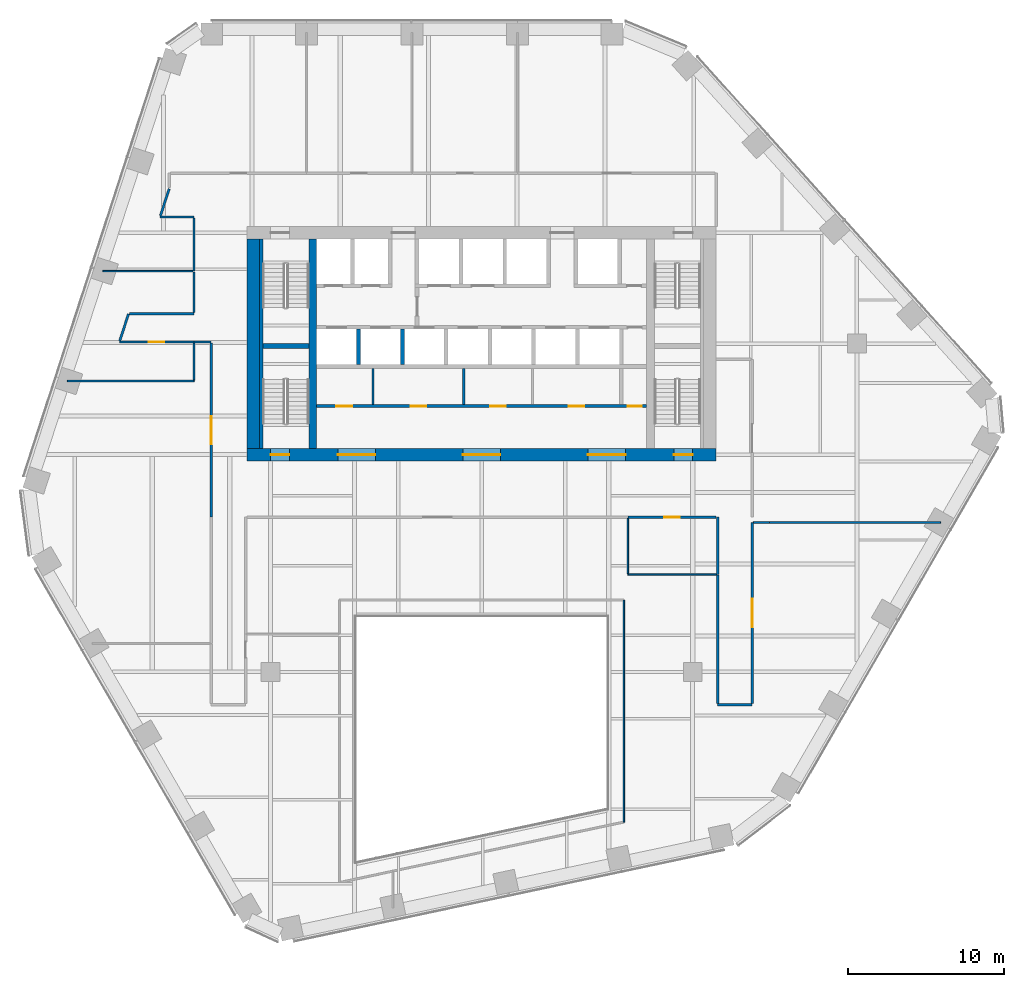
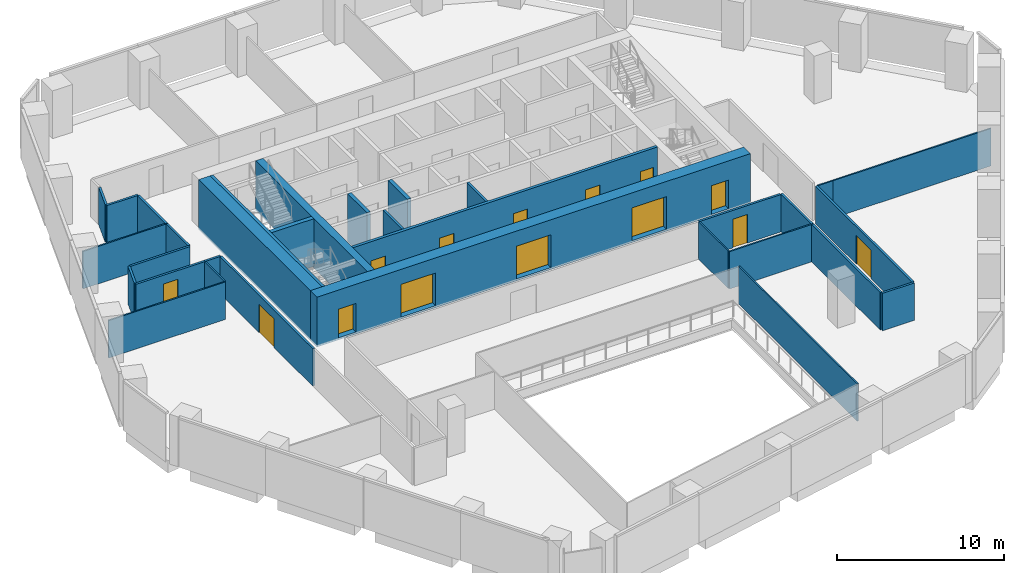
# One storey, part 11 of 16: 32 walls, 14 doors, 14 openings.
"""IFC4 building model written with IfcOpenShell, lengths in metres."""

from ifc_helpers import new_model, si_unit, direction, frame, frame_2d, origin, place, context, subcontext, project, spatial, rectangle, extrude, material, layer, layer_set, type_object, element, fill, save


model = new_model("IFC4")

# Units and contexts
model_context = context("Model", 3, precision=1e-05, world=origin(), true_north=direction((0.0, 1.0)))
body_context = subcontext(model_context, "Body", "Model", "MODEL_VIEW")
ifc_project = project(units=[si_unit("LENGTHUNIT", "METRE"), si_unit("AREAUNIT", "SQUARE_METRE"), si_unit("VOLUMEUNIT", "CUBIC_METRE"), si_unit("PLANEANGLEUNIT", "RADIAN"), si_unit("MASSUNIT", "GRAM", prefix="KILO")], contexts=[model_context])

# Site, building, storey
site_placement = place(None, origin())
site = spatial("IfcSite", under=ifc_project, at=site_placement, CompositionType="ELEMENT")
building_placement = place(site_placement, origin())
building = spatial("IfcBuilding", under=site, at=building_placement, Name="Isthmus Gate Tower", CompositionType="ELEMENT")
storey_placement = place(building_placement, frame((0.0, 0.0, 155.35009765625)))
storey = spatial("IfcBuildingStorey", under=building, at=storey_placement, Name="L38", CompositionType="ELEMENT", Elevation=155.35009765625)

# Wall
ifc_material_1 = material(Name="Fire-rated laminated glass in steel frame", Category="steel")
ifc_layer_1 = layer(ifc_material_1, 0.10009765625)
ifc_layer_set_1 = layer_set([ifc_layer_1], Name="ATRIUM SCREEN GLAZED WALL 100 120 MIN")
wall_type_1 = type_object("IfcWallType", Name="ATRIUM SCREEN GLAZED WALL 100 120 MIN", PredefinedType="PARTITIONING", material=ifc_layer_set_1)
wall_1_placement = place(storey_placement, frame((9.10009765625, -8.89990234375, 0.0), z_axis=(0.0, 0.0, 1.0), x_axis=(0.0, -1.0, 0.0)))
element("IfcWall", 1, at=wall_1_placement, inside=storey, type_object=wall_type_1, Name="L38 atrium screen", PredefinedType="PARTITIONING", context=body_context, shape_type="SweptSolid", body=[
    extrude(rectangle(XDim=14.200927734375, YDim=0.10009765625, at=frame_2d((7.1005859375, 0.0))), origin(), (0.0, 0.0, 1.0), 2.7412109375),
])

# Wall, opening, door
ifc_material_2 = material(Name="Gypsum board on steel studs, fire-rated", Category="steel")
ifc_layer_2 = layer(ifc_material_2, 0.14990234375)
ifc_layer_set_2 = layer_set([ifc_layer_2], Name="CORRIDOR WALL 150 60 MIN")
wall_type_2 = type_object("IfcWallType", Name="CORRIDOR WALL 150 60 MIN", PredefinedType="PARTITIONING", material=ifc_layer_set_2)
wall_2_placement = place(storey_placement, frame((15.0, -3.60009765625, 0.0), z_axis=(0.0, 0.0, 1.0), x_axis=(-1.0, 0.0, 0.0)))
wall_2 = element("IfcWall", 2, at=wall_2_placement, inside=storey, type_object=wall_type_2, Name="L38 Corridor Wall 150 60 Min", PredefinedType="PARTITIONING", context=body_context, shape_type="SweptSolid", body=[
    extrude(rectangle(XDim=5.64990234375, YDim=0.14990234375, at=frame_2d((2.824951171875, 0.0))), origin(), (0.0, 0.0, 1.0), 2.7412109375),
])
opening_1_placement = place(wall_2_placement, frame((2.324951171875, 0.0, 0.0)))
opening_1 = element("IfcOpeningElement", 3, at=opening_1_placement, cuts=wall_2, Name="Opening DT-T3C-08", PredefinedType="OPENING", context=body_context, shape_type="SweptSolid", body=[
    extrude(rectangle(XDim=1.0, YDim=2.10009765625, at=frame_2d((0.5, 1.050048828125))), frame((0.0, 0.0849609375, 0.0), z_axis=(0.0, -1.0, 0.0), x_axis=(1.0, 0.0, 0.0)), (0.0, 0.0, 1.0), 0.169921875),
])
ifc_material_3 = material(Name="Solid core timber door leaf, fire-rated", Category="wood")
door_type_1 = type_object("IfcDoorType", Name="FIRE DOOR ROOM 1000 X 2100 60 MIN", OperationType="SINGLE_SWING_LEFT", PredefinedType="DOOR", material=ifc_material_3)
door_1_placement = place(opening_1_placement, origin())
door_1 = element("IfcDoor", 4, at=door_1_placement, inside=storey, type_object=door_type_1, Name="L38 room door", OperationType="SINGLE_SWING_RIGHT", OverallHeight=2.10009765625, OverallWidth=1.0, PredefinedType="DOOR", context=body_context, shape_type="SweptSolid", body=[
    extrude(rectangle(XDim=1.0, YDim=2.10009765625, at=frame_2d((0.5, 1.050048828125))), frame((0.0, 0.02490234375, 0.0), z_axis=(0.0, -1.0, 0.0), x_axis=(1.0, 0.0, 0.0)), (0.0, 0.0, 1.0), 0.050048828125),
])
fill(opening_1, door_1)

# Wall
wall_3_placement = place(storey_placement, frame((-18.39990234375, 15.60009765625, 0.0), z_axis=(0.0, 0.0, 1.0), x_axis=(-1.0, 0.0, 0.0)))
element("IfcWall", 5, at=wall_3_placement, inside=storey, type_object=wall_type_2, Name="L38 Corridor Wall 150 60 Min", PredefinedType="PARTITIONING", context=body_context, shape_type="SweptSolid", body=[
    extrude(rectangle(XDim=2.174072265625, YDim=0.14990234375, at=frame_2d((1.0869140625, 0.0))), origin(), (0.0, 0.0, 1.0), 2.7412109375),
])

# Wall, opening, door
wall_4_placement = place(storey_placement, frame((-23.174072265625, 7.60009765625, 0.0), z_axis=(0.0, 0.0, 1.0), x_axis=(1.0, 0.0, 0.0)))
wall_4 = element("IfcWall", 6, at=wall_4_placement, inside=storey, type_object=wall_type_2, Name="L38 Corridor Wall 150 60 Min", PredefinedType="PARTITIONING", context=body_context, shape_type="SweptSolid", body=[
    extrude(rectangle(XDim=4.77197265625, YDim=0.14990234375, at=frame_2d((2.385986328125, 0.0))), origin(), (0.0, 0.0, 1.0), 2.7412109375),
])
opening_2_placement = place(wall_4_placement, frame((1.885986328125, 0.0, 0.0)))
opening_2 = element("IfcOpeningElement", 7, at=opening_2_placement, cuts=wall_4, Name="Opening DT-T3C-06", PredefinedType="OPENING", context=body_context, shape_type="SweptSolid", body=[
    extrude(rectangle(XDim=1.0, YDim=2.10009765625, at=frame_2d((0.5, 1.050048828125))), frame((0.0, 0.0849609375, 0.0), z_axis=(0.0, -1.0, 0.0), x_axis=(1.0, 0.0, 0.0)), (0.0, 0.0, 1.0), 0.169921875),
])
door_2_placement = place(opening_2_placement, origin())
door_2 = element("IfcDoor", 8, at=door_2_placement, inside=storey, type_object=door_type_1, Name="L38 room door", OperationType="SINGLE_SWING_RIGHT", OverallHeight=2.10009765625, OverallWidth=1.0, PredefinedType="DOOR", context=body_context, shape_type="SweptSolid", body=[
    extrude(rectangle(XDim=1.0, YDim=2.10009765625, at=frame_2d((0.5, 1.050048828125))), frame((0.0, 0.02490234375, 0.0), z_axis=(0.0, -1.0, 0.0), x_axis=(1.0, 0.0, 0.0)), (0.0, 0.0, 1.0), 0.050048828125),
])
fill(opening_2, door_2)

# Walls
wall_5_placement = place(storey_placement, frame((-17.298095703125, 7.60205078125, 0.0), z_axis=(0.0, 0.0, 1.0), x_axis=(-1.0, 0.0, 0.0)))
element("IfcWall", 9, at=wall_5_placement, inside=storey, type_object=wall_type_2, Name="L38 Corridor Wall 150 60 Min", PredefinedType="PARTITIONING", context=body_context, shape_type="SweptSolid", body=[
    extrude(rectangle(XDim=1.10400390625, YDim=0.14990234375, at=frame_2d((0.552001953125, 0.0))), origin(), (0.0, 0.0, 1.0), 2.7412109375),
])
wall_6_placement = place(storey_placement, frame((17.300048828125, -15.60009765625, 0.0), z_axis=(0.0, 0.0, 1.0), x_axis=(-1.0, 0.0, 0.0)))
element("IfcWall", 10, at=wall_6_placement, inside=storey, type_object=wall_type_2, Name="L38 Corridor Wall 150 60 Min", PredefinedType="PARTITIONING", context=body_context, shape_type="SweptSolid", body=[
    extrude(rectangle(XDim=2.199951171875, YDim=0.14990234375, at=frame_2d((1.10009765625, 0.0))), origin(), (0.0, 0.0, 1.0), 2.7412109375),
])

# Wall, opening, door
wall_7_placement = place(storey_placement, frame((17.300048828125, -3.93994140625, 0.0), z_axis=(0.0, 0.0, 1.0), x_axis=(0.0, -1.0, 0.0)))
wall_7 = element("IfcWall", 11, at=wall_7_placement, inside=storey, type_object=wall_type_2, Name="L38 Corridor Wall 150 60 Min", PredefinedType="PARTITIONING", context=body_context, shape_type="SweptSolid", body=[
    extrude(rectangle(XDim=11.5849609375, YDim=0.14990234375, at=frame_2d((5.79248046875, 0.0))), origin(), (0.0, 0.0, 1.0), 2.7412109375),
])
opening_3_placement = place(wall_7_placement, frame((4.892578125, 0.0, 0.0)))
opening_3 = element("IfcOpeningElement", 12, at=opening_3_placement, cuts=wall_7, Name="Opening DT-T3C-10", PredefinedType="OPENING", context=body_context, shape_type="SweptSolid", body=[
    extrude(rectangle(XDim=1.800048828125, YDim=2.10009765625, at=frame_2d((0.89990234375, 1.050048828125))), frame((0.0, 0.0849609375, 0.0), z_axis=(0.0, -1.0, 0.0), x_axis=(1.0, 0.0, 0.0)), (0.0, 0.0, 1.0), 0.169921875),
])
ifc_material_4 = material(Name="Solid core timber door leaf, fire-rated", Category="wood")
door_type_2 = type_object("IfcDoorType", Name="FIRE DOOR ROOM 1800 X 2100 60 MIN", OperationType="DOUBLE_DOOR_DOUBLE_SWING", PredefinedType="DOOR", material=ifc_material_4)
door_3_placement = place(opening_3_placement, origin())
door_3 = element("IfcDoor", 13, at=door_3_placement, inside=storey, type_object=door_type_2, Name="L38 room door", OperationType="DOUBLE_DOOR_DOUBLE_SWING", OverallHeight=2.10009765625, OverallWidth=1.800048828125, PredefinedType="DOOR", context=body_context, shape_type="SweptSolid", body=[
    extrude(rectangle(XDim=1.800048828125, YDim=2.10009765625, at=frame_2d((0.89990234375, 1.050048828125))), frame((0.0, 0.02490234375, 0.0), z_axis=(0.0, -1.0, 0.0), x_axis=(1.0, 0.0, 0.0)), (0.0, 0.0, 1.0), 0.050048828125),
])
fill(opening_3, door_3)

# Walls
wall_8_placement = place(storey_placement, frame((-20.55078125, 15.67138671875, 0.0), z_axis=(0.0, 0.0, 1.0), x_axis=(0.30859997516, 0.951191912987, 0.0)))
element("IfcWall", 14, at=wall_8_placement, inside=storey, type_object=wall_type_2, Name="L38 Corridor Wall 150 60 Min", PredefinedType="PARTITIONING", context=body_context, shape_type="SweptSolid", body=[
    extrude(rectangle(XDim=1.817138671875, YDim=0.14990234375, at=frame_2d((0.90869140625, 0.0))), origin(), (0.0, 0.0, 1.0), 2.7412109375),
])
wall_9_placement = place(storey_placement, frame((-18.39990234375, 12.14111328125, 0.0), z_axis=(0.0, 0.0, 1.0), x_axis=(0.0, 1.0, 0.0)))
element("IfcWall", 15, at=wall_9_placement, inside=storey, type_object=wall_type_2, Name="L38 Corridor Wall 150 60 Min", PredefinedType="PARTITIONING", context=body_context, shape_type="SweptSolid", body=[
    extrude(rectangle(XDim=3.3837890625, YDim=0.14990234375, at=frame_2d((1.69189453125, 0.0))), origin(), (0.0, 0.0, 1.0), 2.7412109375),
])
wall_10_placement = place(storey_placement, frame((-23.15087890625, 7.67138671875, 0.0), z_axis=(0.0, 0.0, 1.0), x_axis=(0.309086072338, 0.951034068731, 0.0)))
element("IfcWall", 16, at=wall_10_placement, inside=storey, type_object=wall_type_2, Name="L38 Corridor Wall 150 60 Min", PredefinedType="PARTITIONING", context=body_context, shape_type="SweptSolid", body=[
    extrude(rectangle(XDim=1.817626953125, YDim=0.14990234375, at=frame_2d((0.90869140625, 0.0))), origin(), (0.0, 0.0, 1.0), 2.7412109375),
])
wall_11_placement = place(storey_placement, frame((-22.513916015625, 9.39990234375, 0.0), z_axis=(0.0, 0.0, 1.0), x_axis=(1.0, 0.0, 0.0)))
element("IfcWall", 17, at=wall_11_placement, inside=storey, type_object=wall_type_2, Name="L38 Corridor Wall 150 60 Min", PredefinedType="PARTITIONING", context=body_context, shape_type="SweptSolid", body=[
    extrude(rectangle(XDim=4.114013671875, YDim=0.14990234375, at=frame_2d((2.05712890625, 0.0))), origin(), (0.0, 0.0, 1.0), 2.7412109375),
])
wall_12_placement = place(storey_placement, frame((-18.39990234375, 9.47509765625, 0.0), z_axis=(0.0, 0.0, 1.0), x_axis=(0.0, 1.0, 0.0)))
element("IfcWall", 18, at=wall_12_placement, inside=storey, type_object=wall_type_2, Name="L38 Corridor Wall 150 60 Min", PredefinedType="PARTITIONING", context=body_context, shape_type="SweptSolid", body=[
    extrude(rectangle(XDim=2.615966796875, YDim=0.14990234375, at=frame_2d((1.30810546875, 0.0))), origin(), (0.0, 0.0, 1.0), 2.7412109375),
])

# Wall, opening, door
wall_13_placement = place(storey_placement, frame((-17.298095703125, -3.60205078125, 0.0), z_axis=(0.0, 0.0, 1.0), x_axis=(0.0, 1.0, 0.0)))
wall_13 = element("IfcWall", 19, at=wall_13_placement, inside=storey, type_object=wall_type_2, Name="L38 Corridor Wall 150 60 Min", PredefinedType="PARTITIONING", context=body_context, shape_type="SweptSolid", body=[
    extrude(rectangle(XDim=11.129150390625, YDim=0.14990234375, at=frame_2d((5.564453125, 0.0))), origin(), (0.0, 0.0, 1.0), 2.7412109375),
])
opening_4_placement = place(wall_13_placement, frame((4.66455078125, 0.0, 0.0)))
opening_4 = element("IfcOpeningElement", 20, at=opening_4_placement, cuts=wall_13, Name="Opening DT-T3C-07", PredefinedType="OPENING", context=body_context, shape_type="SweptSolid", body=[
    extrude(rectangle(XDim=1.800048828125, YDim=2.10009765625, at=frame_2d((0.89990234375, 1.050048828125))), frame((0.0, 0.0849609375, 0.0), z_axis=(0.0, -1.0, 0.0), x_axis=(1.0, 0.0, 0.0)), (0.0, 0.0, 1.0), 0.169921875),
])
door_4_placement = place(opening_4_placement, origin())
door_4 = element("IfcDoor", 21, at=door_4_placement, inside=storey, type_object=door_type_2, Name="L38 room door", OperationType="DOUBLE_DOOR_DOUBLE_SWING", OverallHeight=2.10009765625, OverallWidth=1.800048828125, PredefinedType="DOOR", context=body_context, shape_type="SweptSolid", body=[
    extrude(rectangle(XDim=1.800048828125, YDim=2.10009765625, at=frame_2d((0.89990234375, 1.050048828125))), frame((0.0, 0.02490234375, 0.0), z_axis=(0.0, -1.0, 0.0), x_axis=(1.0, 0.0, 0.0)), (0.0, 0.0, 1.0), 0.050048828125),
])
fill(opening_4, door_4)

# Walls
wall_14_placement = place(storey_placement, frame((15.10009765625, -7.257080078125, 0.0), z_axis=(0.0, 0.0, 1.0), x_axis=(0.0, 1.0, 0.0)))
element("IfcWall", 22, at=wall_14_placement, inside=storey, type_object=wall_type_2, Name="L38 Corridor Wall 150 60 Min", PredefinedType="PARTITIONING", context=body_context, shape_type="SweptSolid", body=[
    extrude(rectangle(XDim=3.656982421875, YDim=0.14990234375, at=frame_2d((1.82861328125, 0.0))), origin(), (0.0, 0.0, 1.0), 2.7412109375),
])
wall_15_placement = place(storey_placement, frame((15.10009765625, -15.52490234375, 0.0), z_axis=(0.0, 0.0, 1.0), x_axis=(0.0, 1.0, 0.0)))
element("IfcWall", 23, at=wall_15_placement, inside=storey, type_object=wall_type_2, Name="L38 Corridor Wall 150 60 Min", PredefinedType="PARTITIONING", context=body_context, shape_type="SweptSolid", body=[
    extrude(rectangle(XDim=8.218017578125, YDim=0.14990234375, at=frame_2d((4.10888671875, 0.0))), origin(), (0.0, 0.0, 1.0), 2.7412109375),
])
ifc_material_5 = material(Name="Concrete f'c 60 MPa", Category="concrete")
ifc_layer_3 = layer(ifc_material_5, 0.5)
ifc_layer_set_3 = layer_set([ifc_layer_3], Name="RC CORE SPINE WALL 500 F'C 60")
wall_type_3 = type_object("IfcWallType", Name="RC CORE SPINE WALL 500 F'C 60", PredefinedType="SOLIDWALL", material=ifc_layer_set_3)
wall_16_placement = place(storey_placement, frame((-10.800048828125, 0.800048828125, -0.150146484375), z_axis=(0.0, 0.0, 1.0), x_axis=(0.0, 1.0, 0.0)))
element("IfcWall", 24, at=wall_16_placement, inside=storey, type_object=wall_type_3, Name="str-corewall-L38-SPW", PredefinedType="SOLIDWALL", context=body_context, shape_type="SweptSolid", body=[
    extrude(rectangle(XDim=13.39990234375, YDim=0.5, at=frame_2d((6.699951171875, 0.0))), origin(), (0.0, 0.0, 1.0), 3.650146484375),
])

# Wall, openings, doors
ifc_material_6 = material(Name="Concrete f'c 60 MPa", Category="concrete")
ifc_layer_4 = layer(ifc_material_6, 0.800048828125)
ifc_layer_set_4 = layer_set([ifc_layer_4], Name="RC CORE WALL 800 F'C 60")
wall_type_4 = type_object("IfcWallType", Name="RC CORE WALL 800 F'C 60", PredefinedType="SOLIDWALL", material=ifc_layer_set_4)
wall_17_placement = place(storey_placement, frame((-15.0, 0.39990234375, -0.150146484375), z_axis=(0.0, 0.0, 1.0), x_axis=(1.0, 0.0, 0.0)))
wall_17 = element("IfcWall", 25, at=wall_17_placement, inside=storey, type_object=wall_type_4, Name="str-corewall-L38-S", PredefinedType="SOLIDWALL", context=body_context, shape_type="SweptSolid", body=[
    extrude(rectangle(XDim=30.0, YDim=0.800048828125, at=frame_2d((15.0, 0.0))), origin(), (0.0, 0.0, 1.0), 3.650146484375),
])
opening_5_placement = place(wall_17_placement, frame((5.800048828125, 0.0, 0.14990234375)))
opening_5 = element("IfcOpeningElement", 26, at=opening_5_placement, cuts=wall_17, Name="Opening DC-A13-09", PredefinedType="OPENING", context=body_context, shape_type="SweptSolid", body=[
    extrude(rectangle(XDim=2.39990234375, YDim=2.39990234375, at=frame_2d((1.199951171875, 1.199951171875))), frame((0.0, 0.409912109375, 0.0), z_axis=(0.0, -1.0, 0.0), x_axis=(1.0, 0.0, 0.0)), (0.0, 0.0, 1.0), 0.820068359375),
])
opening_6_placement = place(wall_17_placement, frame((13.800048828125, 0.0, 0.14990234375)))
opening_6 = element("IfcOpeningElement", 27, at=opening_6_placement, cuts=wall_17, Name="Opening DC-A13-10", PredefinedType="OPENING", context=body_context, shape_type="SweptSolid", body=[
    extrude(rectangle(XDim=2.39990234375, YDim=2.39990234375, at=frame_2d((1.199951171875, 1.199951171875))), frame((0.0, 0.409912109375, 0.0), z_axis=(0.0, -1.0, 0.0), x_axis=(1.0, 0.0, 0.0)), (0.0, 0.0, 1.0), 0.820068359375),
])
opening_7_placement = place(wall_17_placement, frame((21.800048828125, 0.0, 0.14990234375)))
opening_7 = element("IfcOpeningElement", 28, at=opening_7_placement, cuts=wall_17, Name="Opening DC-A13-11", PredefinedType="OPENING", context=body_context, shape_type="SweptSolid", body=[
    extrude(rectangle(XDim=2.39990234375, YDim=2.39990234375, at=frame_2d((1.199951171875, 1.199951171875))), frame((0.0, 0.409912109375, 0.0), z_axis=(0.0, -1.0, 0.0), x_axis=(1.0, 0.0, 0.0)), (0.0, 0.0, 1.0), 0.820068359375),
])
opening_8_placement = place(wall_17_placement, frame((1.5, 0.0, 0.14990234375)))
opening_8 = element("IfcOpeningElement", 29, at=opening_8_placement, cuts=wall_17, Name="Opening DC-A13-16", PredefinedType="OPENING", context=body_context, shape_type="SweptSolid", body=[
    extrude(rectangle(XDim=1.199951171875, YDim=2.10009765625, at=frame_2d((0.60009765625, 1.050048828125))), frame((0.0, 0.409912109375, 0.0), z_axis=(0.0, -1.0, 0.0), x_axis=(1.0, 0.0, 0.0)), (0.0, 0.0, 1.0), 0.820068359375),
])
opening_9_placement = place(wall_17_placement, frame((27.300048828125, 0.0, 0.14990234375)))
opening_9 = element("IfcOpeningElement", 30, at=opening_9_placement, cuts=wall_17, Name="Opening DC-A13-17", PredefinedType="OPENING", context=body_context, shape_type="SweptSolid", body=[
    extrude(rectangle(XDim=1.199951171875, YDim=2.10009765625, at=frame_2d((0.60009765625, 1.050048828125))), frame((0.0, 0.409912109375, 0.0), z_axis=(0.0, -1.0, 0.0), x_axis=(1.0, 0.0, 0.0)), (0.0, 0.0, 1.0), 0.820068359375),
])
ifc_material_7 = material(Name="Laminated safety glass in steel frame, fire-rated", Category="steel")
door_type_3 = type_object("IfcDoorType", Name="LOBBY ENTRANCE FIRE DOOR 2400 X 2400 60 MIN", OperationType="DOUBLE_DOOR_DOUBLE_SWING", PredefinedType="DOOR", material=ifc_material_7)
door_5_placement = place(opening_5_placement, origin())
door_5 = element("IfcDoor", 31, at=door_5_placement, inside=storey, type_object=door_type_3, Name="Lobby Entrance PS-W", OperationType="DOUBLE_DOOR_DOUBLE_SWING", OverallHeight=2.39990234375, OverallWidth=2.39990234375, PredefinedType="DOOR", context=body_context, shape_type="SweptSolid", body=[
    extrude(rectangle(XDim=2.39990234375, YDim=2.39990234375, at=frame_2d((1.199951171875, 1.199951171875))), frame((0.0, 0.02490234375, 0.0), z_axis=(0.0, -1.0, 0.0), x_axis=(1.0, 0.0, 0.0)), (0.0, 0.0, 1.0), 0.050048828125),
])
fill(opening_5, door_5)
door_6_placement = place(opening_6_placement, origin())
door_6 = element("IfcDoor", 32, at=door_6_placement, inside=storey, type_object=door_type_3, Name="Lobby Entrance PS-C", OperationType="DOUBLE_DOOR_DOUBLE_SWING", OverallHeight=2.39990234375, OverallWidth=2.39990234375, PredefinedType="DOOR", context=body_context, shape_type="SweptSolid", body=[
    extrude(rectangle(XDim=2.39990234375, YDim=2.39990234375, at=frame_2d((1.199951171875, 1.199951171875))), frame((0.0, 0.02490234375, 0.0), z_axis=(0.0, -1.0, 0.0), x_axis=(1.0, 0.0, 0.0)), (0.0, 0.0, 1.0), 0.050048828125),
])
fill(opening_6, door_6)
door_7_placement = place(opening_7_placement, origin())
door_7 = element("IfcDoor", 33, at=door_7_placement, inside=storey, type_object=door_type_3, Name="Lobby Entrance PS-E", OperationType="DOUBLE_DOOR_DOUBLE_SWING", OverallHeight=2.39990234375, OverallWidth=2.39990234375, PredefinedType="DOOR", context=body_context, shape_type="SweptSolid", body=[
    extrude(rectangle(XDim=2.39990234375, YDim=2.39990234375, at=frame_2d((1.199951171875, 1.199951171875))), frame((0.0, 0.02490234375, 0.0), z_axis=(0.0, -1.0, 0.0), x_axis=(1.0, 0.0, 0.0)), (0.0, 0.0, 1.0), 0.050048828125),
])
fill(opening_7, door_7)
ifc_material_8 = material(Name="Steel door leaf, fire-rated", Category="steel")
door_type_4 = type_object("IfcDoorType", Name="STAIR FIRE DOOR 1200 X 2100 90 MIN", OperationType="SINGLE_SWING_LEFT", PredefinedType="DOOR", material=ifc_material_8)
door_8_placement = place(opening_8_placement, origin())
door_8 = element("IfcDoor", 34, at=door_8_placement, inside=storey, type_object=door_type_4, Name="Exit Stair 7 Door", OperationType="SINGLE_SWING_LEFT", OverallHeight=2.10009765625, OverallWidth=1.199951171875, PredefinedType="DOOR", context=body_context, shape_type="SweptSolid", body=[
    extrude(rectangle(XDim=1.199951171875, YDim=2.10009765625, at=frame_2d((0.60009765625, 1.050048828125))), frame((0.0, 0.02490234375, 0.0), z_axis=(0.0, -1.0, 0.0), x_axis=(1.0, 0.0, 0.0)), (0.0, 0.0, 1.0), 0.050048828125),
])
fill(opening_8, door_8)
door_9_placement = place(opening_9_placement, origin())
door_9 = element("IfcDoor", 35, at=door_9_placement, inside=storey, type_object=door_type_4, Name="Exit Stair 8 Door", OperationType="SINGLE_SWING_RIGHT", OverallHeight=2.10009765625, OverallWidth=1.199951171875, PredefinedType="DOOR", context=body_context, shape_type="SweptSolid", body=[
    extrude(rectangle(XDim=1.199951171875, YDim=2.10009765625, at=frame_2d((0.60009765625, 1.050048828125))), frame((0.0, 0.02490234375, 0.0), z_axis=(0.0, -1.0, 0.0), x_axis=(1.0, 0.0, 0.0)), (0.0, 0.0, 1.0), 0.050048828125),
])
fill(opening_9, door_9)

# Walls
wall_18_placement = place(storey_placement, frame((-14.60009765625, 0.800048828125, -0.150146484375), z_axis=(0.0, 0.0, 1.0), x_axis=(0.0, 1.0, 0.0)))
element("IfcWall", 36, at=wall_18_placement, inside=storey, type_object=wall_type_4, Name="str-corewall-L38-W", PredefinedType="SOLIDWALL", context=body_context, shape_type="SweptSolid", body=[
    extrude(rectangle(XDim=13.39990234375, YDim=0.800048828125, at=frame_2d((6.699951171875, 0.0))), origin(), (0.0, 0.0, 1.0), 3.650146484375),
])
ifc_material_9 = material(Name="Gypsum board on steel studs, fire-rated", Category="steel")
ifc_layer_5 = layer(ifc_material_9, 0.10009765625)
ifc_layer_set_5 = layer_set([ifc_layer_5], Name="ROOM PARTITION 100 30 MIN")
wall_type_5 = type_object("IfcWallType", Name="ROOM PARTITION 100 30 MIN", PredefinedType="PARTITIONING", material=ifc_layer_set_5)
wall_19_placement = place(storey_placement, frame((-24.221923828125, 12.14111328125, 0.0), z_axis=(0.0, 0.0, 1.0), x_axis=(1.0, 0.0, 0.0)))
element("IfcWall", 37, at=wall_19_placement, inside=storey, type_object=wall_type_5, Name="L38 Room Partition 100 30 Min", PredefinedType="PARTITIONING", context=body_context, shape_type="SweptSolid", body=[
    extrude(rectangle(XDim=5.746826171875, YDim=0.10009765625, at=frame_2d((2.87353515625, 0.0))), origin(), (0.0, 0.0, 1.0), 2.7412109375),
])
wall_20_placement = place(storey_placement, frame((18.403076171875, -3.94189453125, 0.0), z_axis=(0.0, 0.0, 1.0), x_axis=(-0.999998618361, 0.001662310693, 0.0)))
element("IfcWall", 38, at=wall_20_placement, inside=storey, type_object=wall_type_5, Name="L38 Room Partition 100 30 Min", PredefinedType="PARTITIONING", context=body_context, shape_type="SweptSolid", body=[
    extrude(rectangle(XDim=1.028076171875, YDim=0.10009765625, at=frame_2d((0.51416015625, 0.0))), origin(), (0.0, 0.0, 1.0), 2.7412109375),
])
wall_21_placement = place(storey_placement, frame((18.403076171875, -3.93994140625, 0.0), z_axis=(0.0, 0.0, 1.0), x_axis=(1.0, 0.0, 0.0)))
element("IfcWall", 39, at=wall_21_placement, inside=storey, type_object=wall_type_5, Name="L38 Room Partition 100 30 Min", PredefinedType="PARTITIONING", context=body_context, shape_type="SweptSolid", body=[
    extrude(rectangle(XDim=10.9609375, YDim=0.10009765625, at=frame_2d((5.48046875, 0.0))), origin(), (0.0, 0.0, 1.0), 2.7412109375),
])
wall_22_placement = place(storey_placement, frame((-26.506103515625, 5.111083984375, 0.0), z_axis=(0.0, 0.0, 1.0), x_axis=(1.0, 0.0, 0.0)))
element("IfcWall", 40, at=wall_22_placement, inside=storey, type_object=wall_type_5, Name="L38 Room Partition 100 30 Min", PredefinedType="PARTITIONING", context=body_context, shape_type="SweptSolid", body=[
    extrude(rectangle(XDim=8.106201171875, YDim=0.10009765625, at=frame_2d((4.05322265625, 0.0))), origin(), (0.0, 0.0, 1.0), 2.7412109375),
])
wall_23_placement = place(storey_placement, frame((-18.40185546875, 7.52490234375, 0.0), z_axis=(0.0, 0.0, 1.0), x_axis=(0.000826189948, -0.999999658705, 0.0)))
element("IfcWall", 41, at=wall_23_placement, inside=storey, type_object=wall_type_5, Name="L38 Room Partition 100 30 Min", PredefinedType="PARTITIONING", context=body_context, shape_type="SweptSolid", body=[
    extrude(rectangle(XDim=2.364013671875, YDim=0.10009765625, at=frame_2d((1.18212890625, 0.0))), origin(), (0.0, 0.0, 1.0), 2.7412109375),
])
wall_24_placement = place(storey_placement, frame((9.35009765625, -7.257080078125, 0.0), z_axis=(0.0, 0.0, 1.0), x_axis=(1.0, 0.0, 0.0)))
element("IfcWall", 42, at=wall_24_placement, inside=storey, type_object=wall_type_5, Name="L38 Room Partition 100 30 Min", PredefinedType="PARTITIONING", context=body_context, shape_type="SweptSolid", body=[
    extrude(rectangle(XDim=5.6748046875, YDim=0.10009765625, at=frame_2d((2.83740234375, 0.0))), origin(), (0.0, 0.0, 1.0), 2.7412109375),
])
wall_25_placement = place(storey_placement, frame((9.35009765625, -7.20703125, 0.0), z_axis=(0.0, 0.0, 1.0), x_axis=(0.0, 1.0, 0.0)))
element("IfcWall", 43, at=wall_25_placement, inside=storey, type_object=wall_type_5, Name="L38 Room Partition 100 30 Min", PredefinedType="PARTITIONING", context=body_context, shape_type="SweptSolid", body=[
    extrude(rectangle(XDim=3.531982421875, YDim=0.10009765625, at=frame_2d((1.76611328125, 0.0))), origin(), (0.0, 0.0, 1.0), 2.7412109375),
])
ifc_material_10 = material(Name="Gypsum board on steel studs, fire-rated", Category="steel")
ifc_layer_6 = layer(ifc_material_10, 0.14990234375)
ifc_layer_set_6 = layer_set([ifc_layer_6], Name="ROOM PARTITION 150 60 MIN")
wall_type_6 = type_object("IfcWallType", Name="ROOM PARTITION 150 60 MIN", PredefinedType="PARTITIONING", material=ifc_layer_set_6)
for number, where, z_axis, x_axis, name in (
    (44, (-6.949951171875, 3.60009765625, 0.0), (0.0, 0.0, 1.0), (0.0, 1.0, 0.0), "L38 ROOM PARTITION 150 60 MIN"),
    (45, (-1.14990234375, 3.60009765625, 0.0), (0.0, 0.0, 1.0), (0.0, 1.0, 0.0), "L38 ROOM PARTITION 150 60 MIN"),
):
    element("IfcWall", number, at=place(storey_placement, frame(where, z_axis=z_axis, x_axis=x_axis)), inside=storey, type_object=wall_type_6, Name=name, PredefinedType="PARTITIONING", context=body_context, shape_type="SweptSolid", body=[
        extrude(rectangle(XDim=2.2998046875, YDim=0.14990234375, at=frame_2d((1.14990234375, 0.0))), origin(), (0.0, 0.0, 1.0), 3.5),
    ])

# Wall, openings, doors
ifc_material_11 = material(Name="Fire-rated blockwork masonry, 15 MPa", Category="masonry")
ifc_layer_7 = layer(ifc_material_11, 0.199951171875)
ifc_layer_set_7 = layer_set([ifc_layer_7], Name="SHAFT FRONT WALL 200 120 MIN")
wall_type_7 = type_object("IfcWallType", Name="SHAFT FRONT WALL 200 120 MIN", PredefinedType="PARTITIONING", material=ifc_layer_set_7)
wall_26_placement = place(storey_placement, frame((-10.550048828125, 3.5, 0.0), z_axis=(0.0, 0.0, 1.0), x_axis=(1.0, 0.0, 0.0)))
wall_26 = element("IfcWall", 46, at=wall_26_placement, inside=storey, type_object=wall_type_7, Name="L38 SHAFT FRONT WALL 200 120 MIN", PredefinedType="PARTITIONING", context=body_context, shape_type="SweptSolid", body=[
    extrude(rectangle(XDim=21.10009765625, YDim=0.199951171875, at=frame_2d((10.550048828125, 0.0))), origin(), (0.0, 0.0, 1.0), 3.5),
])
opening_10_placement = place(wall_26_placement, frame((1.262451171875, 0.0, 0.0)))
opening_10 = element("IfcOpeningElement", 47, at=opening_10_placement, cuts=wall_26, Name="Opening DC-A13-02", PredefinedType="OPENING", context=body_context, shape_type="SweptSolid", body=[
    extrude(rectangle(XDim=1.0, YDim=2.10009765625, at=frame_2d((0.5, 1.050048828125))), frame((0.0, 0.10986328125, 0.0), z_axis=(0.0, -1.0, 0.0), x_axis=(1.0, 0.0, 0.0)), (0.0, 0.0, 1.0), 0.219970703125),
])
opening_11_placement = place(wall_26_placement, frame((6.0, 0.0, 0.0)))
opening_11 = element("IfcOpeningElement", 48, at=opening_11_placement, cuts=wall_26, Name="Opening DC-A13-03", PredefinedType="OPENING", context=body_context, shape_type="SweptSolid", body=[
    extrude(rectangle(XDim=1.0, YDim=2.10009765625, at=frame_2d((0.5, 1.050048828125))), frame((0.0, 0.10986328125, 0.0), z_axis=(0.0, -1.0, 0.0), x_axis=(1.0, 0.0, 0.0)), (0.0, 0.0, 1.0), 0.219970703125),
])
opening_12_placement = place(wall_26_placement, frame((11.10009765625, 0.0, 0.0)))
opening_12 = element("IfcOpeningElement", 49, at=opening_12_placement, cuts=wall_26, Name="Opening DC-A13-04", PredefinedType="OPENING", context=body_context, shape_type="SweptSolid", body=[
    extrude(rectangle(XDim=1.0, YDim=2.10009765625, at=frame_2d((0.5, 1.050048828125))), frame((0.0, 0.10986328125, 0.0), z_axis=(0.0, -1.0, 0.0), x_axis=(1.0, 0.0, 0.0)), (0.0, 0.0, 1.0), 0.219970703125),
])
opening_13_placement = place(wall_26_placement, frame((16.112548828125, 0.0, 0.0)))
opening_13 = element("IfcOpeningElement", 50, at=opening_13_placement, cuts=wall_26, Name="Opening DC-A13-05", PredefinedType="OPENING", context=body_context, shape_type="SweptSolid", body=[
    extrude(rectangle(XDim=1.0, YDim=2.10009765625, at=frame_2d((0.5, 1.050048828125))), frame((0.0, 0.10986328125, 0.0), z_axis=(0.0, -1.0, 0.0), x_axis=(1.0, 0.0, 0.0)), (0.0, 0.0, 1.0), 0.219970703125),
])
opening_14_placement = place(wall_26_placement, frame((19.89990234375, 0.0, 0.0)))
opening_14 = element("IfcOpeningElement", 51, at=opening_14_placement, cuts=wall_26, Name="Opening DC-A13-06", PredefinedType="OPENING", context=body_context, shape_type="SweptSolid", body=[
    extrude(rectangle(XDim=0.89990234375, YDim=2.10009765625, at=frame_2d((0.449951171875, 1.050048828125))), frame((0.0, 0.10986328125, 0.0), z_axis=(0.0, -1.0, 0.0), x_axis=(1.0, 0.0, 0.0)), (0.0, 0.0, 1.0), 0.219970703125),
])
ifc_material_12 = material(Name="Steel door leaf, fire-rated", Category="steel")
door_type_5 = type_object("IfcDoorType", Name="FIRE DOOR 1000 X 2100 60 MIN", OperationType="SINGLE_SWING_LEFT", PredefinedType="DOOR", material=ifc_material_12)
door_10_placement = place(opening_10_placement, origin())
door_10 = element("IfcDoor", 52, at=door_10_placement, inside=storey, type_object=door_type_5, Name="Accessible WC Door", OperationType="SINGLE_SWING_LEFT", OverallHeight=2.10009765625, OverallWidth=1.0, PredefinedType="DOOR", context=body_context, shape_type="SweptSolid", body=[
    extrude(rectangle(XDim=1.0, YDim=2.10009765625, at=frame_2d((0.5, 1.050048828125))), frame((0.0, 0.02490234375, 0.0), z_axis=(0.0, -1.0, 0.0), x_axis=(1.0, 0.0, 0.0)), (0.0, 0.0, 1.0), 0.050048828125),
])
fill(opening_10, door_10)
door_11_placement = place(opening_11_placement, origin())
door_11 = element("IfcDoor", 53, at=door_11_placement, inside=storey, type_object=door_type_5, Name="WC Women Door", OperationType="SINGLE_SWING_RIGHT", OverallHeight=2.10009765625, OverallWidth=1.0, PredefinedType="DOOR", context=body_context, shape_type="SweptSolid", body=[
    extrude(rectangle(XDim=1.0, YDim=2.10009765625, at=frame_2d((0.5, 1.050048828125))), frame((0.0, 0.02490234375, 0.0), z_axis=(0.0, -1.0, 0.0), x_axis=(1.0, 0.0, 0.0)), (0.0, 0.0, 1.0), 0.050048828125),
])
fill(opening_11, door_11)
door_12_placement = place(opening_12_placement, origin())
door_12 = element("IfcDoor", 54, at=door_12_placement, inside=storey, type_object=door_type_5, Name="WC Men Door", OperationType="SINGLE_SWING_LEFT", OverallHeight=2.10009765625, OverallWidth=1.0, PredefinedType="DOOR", context=body_context, shape_type="SweptSolid", body=[
    extrude(rectangle(XDim=1.0, YDim=2.10009765625, at=frame_2d((0.5, 1.050048828125))), frame((0.0, 0.02490234375, 0.0), z_axis=(0.0, -1.0, 0.0), x_axis=(1.0, 0.0, 0.0)), (0.0, 0.0, 1.0), 0.050048828125),
])
fill(opening_12, door_12)
door_13_placement = place(opening_13_placement, origin())
door_13 = element("IfcDoor", 55, at=door_13_placement, inside=storey, type_object=door_type_5, Name="Staff Room Door", OperationType="SINGLE_SWING_RIGHT", OverallHeight=2.10009765625, OverallWidth=1.0, PredefinedType="DOOR", context=body_context, shape_type="SweptSolid", body=[
    extrude(rectangle(XDim=1.0, YDim=2.10009765625, at=frame_2d((0.5, 1.050048828125))), frame((0.0, 0.02490234375, 0.0), z_axis=(0.0, -1.0, 0.0), x_axis=(1.0, 0.0, 0.0)), (0.0, 0.0, 1.0), 0.050048828125),
])
fill(opening_13, door_13)
ifc_material_13 = material(Name="Steel door leaf, fire-rated", Category="steel")
door_type_6 = type_object("IfcDoorType", Name="RISER FIRE DOOR 900 X 2100 90 MIN", OperationType="SINGLE_SWING_LEFT", PredefinedType="DOOR", material=ifc_material_13)
door_14_placement = place(opening_14_placement, origin())
door_14 = element("IfcDoor", 56, at=door_14_placement, inside=storey, type_object=door_type_6, Name="Riser Door", OperationType="SINGLE_SWING_RIGHT", OverallHeight=2.10009765625, OverallWidth=0.89990234375, PredefinedType="DOOR", context=body_context, shape_type="SweptSolid", body=[
    extrude(rectangle(XDim=0.89990234375, YDim=2.10009765625, at=frame_2d((0.449951171875, 1.050048828125))), frame((0.0, 0.02490234375, 0.0), z_axis=(0.0, -1.0, 0.0), x_axis=(1.0, 0.0, 0.0)), (0.0, 0.0, 1.0), 0.050048828125),
])
fill(opening_14, door_14)

# Walls
ifc_material_14 = material(Name="Fire-rated blockwork masonry, 15 MPa", Category="masonry")
ifc_layer_8 = layer(ifc_material_14, 0.25)
ifc_layer_set_8 = layer_set([ifc_layer_8], Name="SHAFT WALL 250 120 MIN")
wall_type_8 = type_object("IfcWallType", Name="SHAFT WALL 250 120 MIN", PredefinedType="PARTITIONING", material=ifc_layer_set_8)
for number, where, z_axis, x_axis, name in (
    (57, (-7.875, 6.14990234375, 0.0), (0.0, 0.0, 1.0), (0.0, 1.0, 0.0), "L38 SHAFT WALL 250 120 MIN"),
    (58, (-5.074951171875, 6.14990234375, 0.0), (0.0, 0.0, 1.0), (0.0, 1.0, 0.0), "L38 SHAFT WALL 250 120 MIN"),
):
    element("IfcWall", number, at=place(storey_placement, frame(where, z_axis=z_axis, x_axis=x_axis)), inside=storey, type_object=wall_type_8, Name=name, PredefinedType="PARTITIONING", context=body_context, shape_type="SweptSolid", body=[
        extrude(rectangle(XDim=2.300048828125, YDim=0.25, at=frame_2d((1.14990234375, 0.0))), origin(), (0.0, 0.0, 1.0), 3.5),
    ])
ifc_material_15 = material(Name="Concrete f'c 40 MPa", Category="concrete")
ifc_layer_9 = layer(ifc_material_15, 0.199951171875)
ifc_layer_set_9 = layer_set([ifc_layer_9], Name="STAIR ENCLOSURE WALL 200 180 MIN")
wall_type_9 = type_object("IfcWallType", Name="STAIR ENCLOSURE WALL 200 180 MIN", PredefinedType="SOLIDWALL", material=ifc_layer_set_9)
wall_27_placement = place(storey_placement, frame((-14.10009765625, 0.800048828125, 0.0), z_axis=(0.0, 0.0, 1.0), x_axis=(0.0, 1.0, 0.0)))
element("IfcWall", 59, at=wall_27_placement, inside=storey, type_object=wall_type_9, Name="L38 STAIR ENCLOSURE WALL 200 180 MIN", PredefinedType="SOLIDWALL", context=body_context, shape_type="SweptSolid", body=[
    extrude(rectangle(XDim=13.39990234375, YDim=0.199951171875, at=frame_2d((6.699951171875, 0.0))), origin(), (0.0, 0.0, 1.0), 3.5),
])
ifc_material_16 = material(Name="Concrete f'c 40 MPa", Category="concrete")
ifc_layer_10 = layer(ifc_material_16, 0.300048828125)
ifc_layer_set_10 = layer_set([ifc_layer_10], Name="STAIR ENCLOSURE WALL 300 180 MIN")
wall_type_10 = type_object("IfcWallType", Name="STAIR ENCLOSURE WALL 300 180 MIN", PredefinedType="SOLIDWALL", material=ifc_layer_set_10)
wall_28_placement = place(storey_placement, frame((-14.0, 7.35009765625, 0.0), z_axis=(0.0, 0.0, 1.0), x_axis=(1.0, 0.0, 0.0)))
element("IfcWall", 60, at=wall_28_placement, inside=storey, type_object=wall_type_10, Name="L38 STAIR ENCLOSURE WALL 300 180 MIN", PredefinedType="SOLIDWALL", context=body_context, shape_type="SweptSolid", body=[
    extrude(rectangle(XDim=2.949951171875, YDim=0.300048828125, at=frame_2d((1.47509765625, 0.0))), origin(), (0.0, 0.0, 1.0), 3.5),
])

save(model, "model.ifc")
